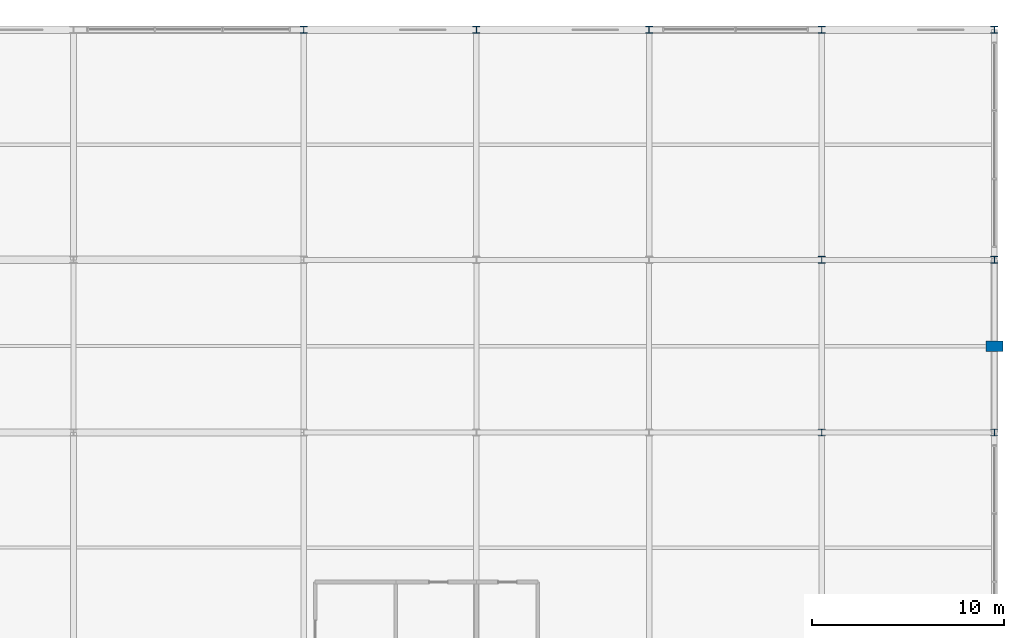
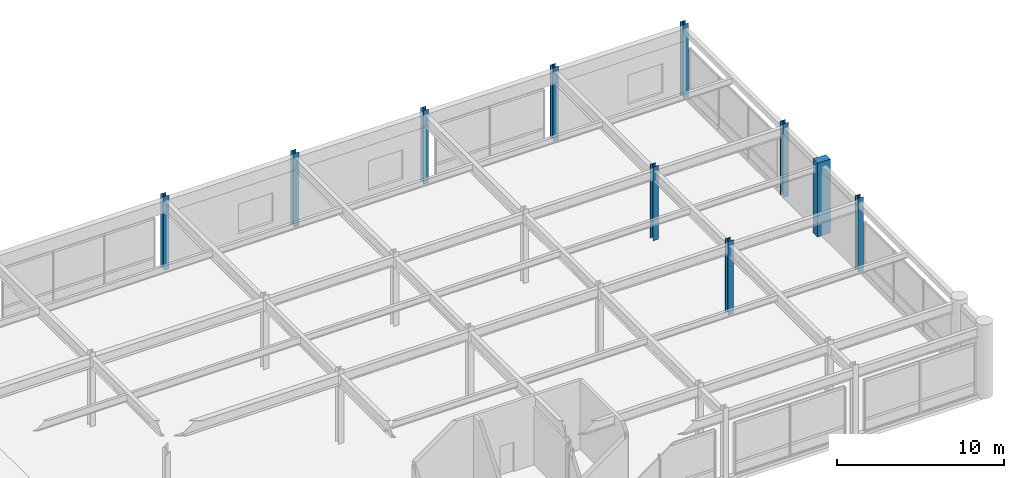
# One storey, part 18 of 100: 10 columns.
"""IFC4 building model written with IfcOpenShell, lengths in metres."""

from ifc_helpers import new_model, si_unit, direction, frame, origin, origin_2d, place, context, subcontext, project, spatial, rectangle, i_section, extrude, material, material_profile, profile_set, type_object, element, save


model = new_model("IFC4")

# Units and contexts
model_context = context("Model", 3, precision=1e-05, world=origin(), true_north=direction((0.0, 1.0)))
body_context = subcontext(model_context, "Body", "Model", "MODEL_VIEW")
ifc_project = project(units=[si_unit("LENGTHUNIT", "METRE"), si_unit("AREAUNIT", "SQUARE_METRE"), si_unit("VOLUMEUNIT", "CUBIC_METRE"), si_unit("PLANEANGLEUNIT", "RADIAN"), si_unit("MASSUNIT", "GRAM", prefix="KILO")], contexts=[model_context])

# Site, building, storey
site_placement = place(None, origin())
site = spatial("IfcSite", under=ifc_project, at=site_placement, CompositionType="ELEMENT")
building_placement = place(site_placement, origin())
building = spatial("IfcBuilding", under=site, at=building_placement, Name="Kaldorvane Square Convention Centre", CompositionType="ELEMENT")
storey_placement = place(building_placement, frame((0.0, 0.0, 18.0)))
storey = spatial("IfcBuildingStorey", under=building, at=storey_placement, Name="L03", CompositionType="ELEMENT", Elevation=18.0)

# Columns
ifc_material_1 = material(Name="Steel ASTM A992 Gr. 50", Category="steel")
ifc_material_profile_1 = material_profile(ifc_material_1, i_section(OverallWidth=0.3701019287109375, OverallDepth=0.360198974609375, WebThickness=0.012298583984375, FlangeThickness=0.019805908203125, FilletRadius=0.0305023193359375, at=origin_2d()), Name="W14X99")
ifc_profile_set_1 = profile_set([ifc_material_profile_1], Name="Steel ASTM A992 Gr. 50")
column_type_1 = type_object("IfcColumnType", Name="COL-STL-99", PredefinedType="COLUMN", material=ifc_profile_set_1)
for number, where, z_axis, x_axis, name in (
    (1, (138.0, 117.0, 0.0), (0.0, 0.0, 1.0), (1.0, 0.0, 0.0), "Column SC-12 (L03)"),
    (2, (147.0, 117.0, 0.0), (0.0, 0.0, 1.0), (1.0, 0.0, 0.0), "Column SC-12 (L03)"),
    (3, (156.0, 117.0, 0.0), (0.0, 0.0, 1.0), (1.0, 0.0, 0.0), "Column SC-12 (L03)"),
    (4, (165.0, 96.0, 0.0), (0.0, 0.0, 1.0), (1.0, 0.0, 0.0), "Column SC-12 (L03)"),
    (5, (165.0, 105.0, 0.0), (0.0, 0.0, 1.0), (1.0, 0.0, 0.0), "Column SC-12 (L03)"),
    (6, (165.0, 117.0, 0.0), (0.0, 0.0, 1.0), (1.0, 0.0, 0.0), "Column SC-12 (L03)"),
    (7, (174.0, 96.0, 0.0), (0.0, 0.0, 1.0), (1.0, 0.0, 0.0), "Column SC-12 (L03)"),
    (8, (174.0, 105.0, 0.0), (0.0, 0.0, 1.0), (1.0, 0.0, 0.0), "Column SC-12 (L03)"),
    (9, (174.0, 117.0, 0.0), (0.0, 0.0, 1.0), (1.0, 0.0, 0.0), "Column SC-12 (L03)"),
):
    element("IfcColumn", number, at=place(storey_placement, frame(where, z_axis=z_axis, x_axis=x_axis)), inside=storey, type_object=column_type_1, Name=name, PredefinedType="COLUMN", context=body_context, shape_type="SweptSolid", body=[
        extrude(i_section(OverallWidth=0.3701019287109375, OverallDepth=0.360198974609375, WebThickness=0.012298583984375, FlangeThickness=0.019805908203125, FilletRadius=0.0305023193359375, at=origin_2d()), origin(), (0.0, 0.0, 1.0), 5.399993896484375),
    ])
ifc_material_2 = material(Name="Concrete f'c = 42 MPa (Normalweight)", Category="concrete")
ifc_material_profile_2 = material_profile(ifc_material_2, rectangle(XDim=0.5500030517578125, YDim=0.899993896484375, at=origin_2d()), Name="PIL900X550")
ifc_profile_set_2 = profile_set([ifc_material_profile_2], Name="Concrete f'c = 42 MPa (Normalweight)")
column_type_2 = type_object("IfcColumnType", Name="PIL-BRUT-900", PredefinedType="PILASTER", material=ifc_profile_set_2)
column_placement = place(storey_placement, frame((174.0, 100.5, 0.0), z_axis=(0.0, 0.0, 1.0), x_axis=(0.0, 1.0, 0.0)))
element("IfcColumn", 10, at=column_placement, inside=storey, type_object=column_type_2, Name="Brutalist Colonnade Pilaster (L03)", PredefinedType="PILASTER", context=body_context, shape_type="SweptSolid", body=[
    extrude(rectangle(XDim=0.5500030517578125, YDim=0.899993896484375, at=origin_2d()), origin(), (0.0, 0.0, 1.0), 5.399993896484375),
])

save(model, "model.ifc")
